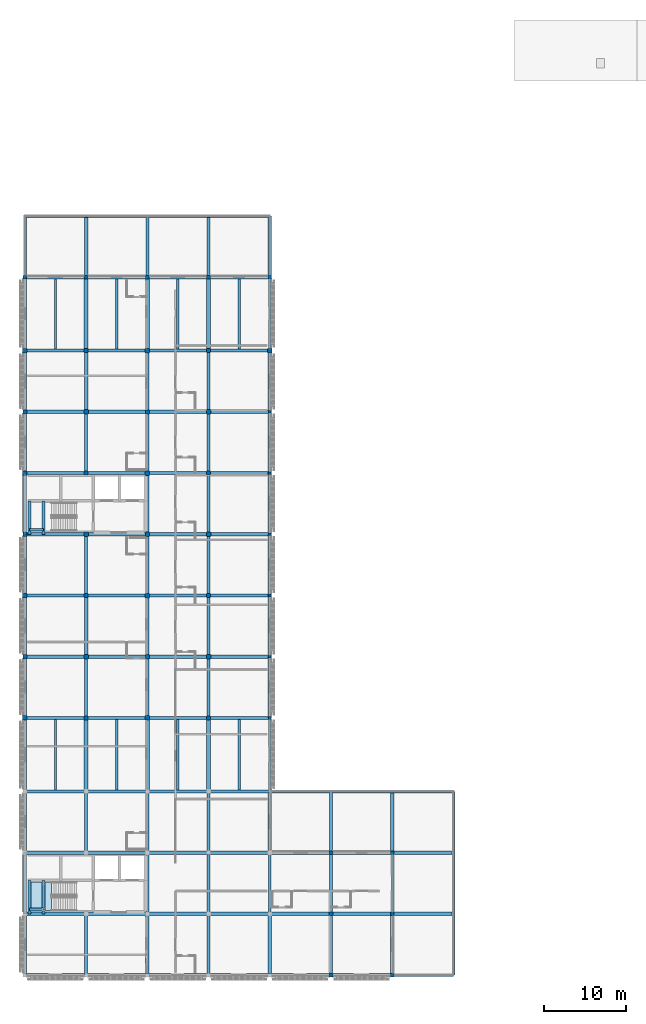
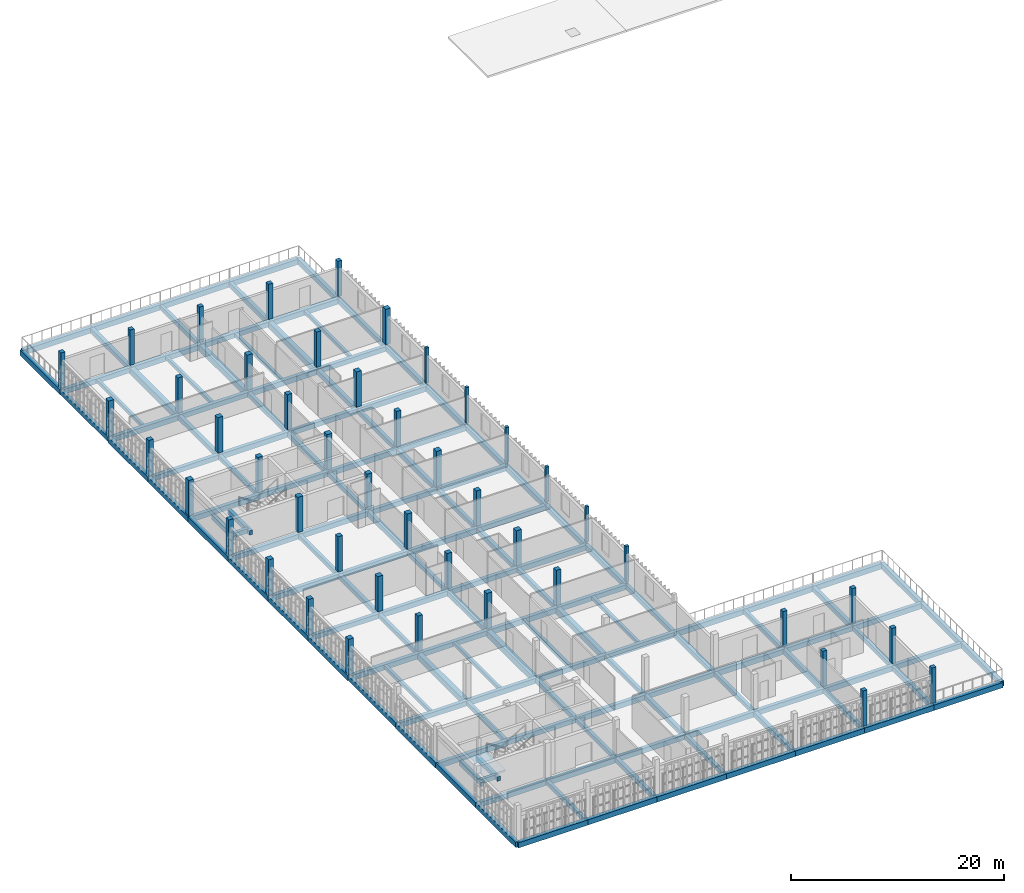
# One storey, part 2 of 17: 145 beams, 46 columns, 1 slab, 1 element without a shape of its own.
"""IFC4 building model written with IfcOpenShell, lengths in metres."""

from ifc_helpers import new_model, si_unit, direction, frame, origin, origin_2d, place, context, subcontext, project, spatial, polyline, rectangle, outline, extrude, material, layer, layer_set, material_profile, profile_set, type_object, element, aggregate, save


model = new_model("IFC4")

# Units and contexts
model_context = context("Model", 3, precision=1e-05, world=origin(), true_north=direction((0.0, 1.0)))
body_context = subcontext(model_context, "Body", "Model", "MODEL_VIEW")
ifc_project = project(units=[si_unit("LENGTHUNIT", "METRE"), si_unit("AREAUNIT", "SQUARE_METRE"), si_unit("VOLUMEUNIT", "CUBIC_METRE"), si_unit("PLANEANGLEUNIT", "RADIAN"), si_unit("MASSUNIT", "GRAM", prefix="KILO")], contexts=[model_context])

# Site, building, storey
site_placement = place(None, origin())
site = spatial("IfcSite", under=ifc_project, at=site_placement, CompositionType="ELEMENT")
building_placement = place(site_placement, origin())
building = spatial("IfcBuilding", under=site, at=building_placement, Name="Dalvernix Boulevard General Hospital", CompositionType="ELEMENT")
storey_placement = place(building_placement, frame((0.0, 0.0, 25.949951171875)))
storey = spatial("IfcBuildingStorey", under=building, at=storey_placement, Name="L06", CompositionType="ELEMENT", Elevation=25.949951171875)

# Columns
ifc_material_1 = material(Name="Concrete C40/50", Category="concrete")
ifc_material_profile_1 = material_profile(ifc_material_1, rectangle(XDim=0.550048828125, YDim=0.550048828125, at=origin_2d()), Name="RC 550x550")
ifc_profile_set_1 = profile_set([ifc_material_profile_1], Name="Concrete C40/50")
column_type_1 = type_object("IfcColumnType", Name="COL-C-08-E", PredefinedType="COLUMN", material=ifc_profile_set_1)
for number, where, z_axis, x_axis, name in (
    (1, (0.0, 31.5, 0.0), (0.0, 0.0, 1.0), (1.0, 0.0, 0.0), "L06 column 1E"),
    (2, (0.0, 46.5, 0.0), (0.0, 0.0, 1.0), (1.0, 0.0, 0.0), "L06 column 1G"),
    (3, (0.0, 61.5, 0.0), (0.0, 0.0, 1.0), (1.0, 0.0, 0.0), "L06 column 1J"),
    (4, (0.0, 76.5, 0.0), (0.0, 0.0, 1.0), (1.0, 0.0, 0.0), "L06 column 1L"),
    (5, (30.0, 76.5, 0.0), (0.0, 0.0, 1.0), (1.0, 0.0, 0.0), "L06 column 5L"),
):
    element("IfcColumn", number, at=place(storey_placement, frame(where, z_axis=z_axis, x_axis=x_axis)), inside=storey, type_object=column_type_1, Name=name, PredefinedType="COLUMN", context=body_context, shape_type="SweptSolid", body=[
        extrude(rectangle(XDim=0.550048828125, YDim=0.550048828125, at=origin_2d()), origin(), (0.0, 0.0, 1.0), 4.050048828125),
    ])
ifc_material_profile_2 = material_profile(ifc_material_1, rectangle(XDim=0.550048828125, YDim=0.550048828125, at=origin_2d()), Name="RC 550x550")
ifc_profile_set_2 = profile_set([ifc_material_profile_2], Name="Concrete C40/50")
column_type_2 = type_object("IfcColumnType", Name="COL-C-08-I", PredefinedType="COLUMN", material=ifc_profile_set_2)
for number, where, z_axis, x_axis, name in (
    (6, (7.5, 39.0, 0.0), (0.0, 0.0, 1.0), (1.0, 0.0, 0.0), "L06 column 2F"),
    (7, (7.5, 54.0, 0.0), (0.0, 0.0, 1.0), (1.0, 0.0, 0.0), "L06 column 2H"),
    (8, (7.5, 69.0, 0.0), (0.0, 0.0, 1.0), (1.0, 0.0, 0.0), "L06 column 2K"),
    (9, (15.0, 31.5, 0.0), (0.0, 0.0, 1.0), (1.0, 0.0, 0.0), "L06 column 3E"),
    (10, (15.0, 46.5, 0.0), (0.0, 0.0, 1.0), (1.0, 0.0, 0.0), "L06 column 3G"),
    (11, (15.0, 61.5, 0.0), (0.0, 0.0, 1.0), (1.0, 0.0, 0.0), "L06 column 3J"),
    (12, (15.0, 76.5, 0.0), (0.0, 0.0, 1.0), (1.0, 0.0, 0.0), "L06 column 3L"),
    (13, (22.5, 39.0, 0.0), (0.0, 0.0, 1.0), (1.0, 0.0, 0.0), "L06 column 4F"),
    (14, (22.5, 54.0, 0.0), (0.0, 0.0, 1.0), (1.0, 0.0, 0.0), "L06 column 4H"),
    (15, (22.5, 69.0, 0.0), (0.0, 0.0, 1.0), (1.0, 0.0, 0.0), "L06 column 4K"),
):
    element("IfcColumn", number, at=place(storey_placement, frame(where, z_axis=z_axis, x_axis=x_axis)), inside=storey, type_object=column_type_2, Name=name, PredefinedType="COLUMN", context=body_context, shape_type="SweptSolid", body=[
        extrude(rectangle(XDim=0.550048828125, YDim=0.550048828125, at=origin_2d()), origin(), (0.0, 0.0, 1.0), 4.050048828125),
    ])
ifc_material_profile_3 = material_profile(ifc_material_1, rectangle(XDim=0.5, YDim=0.5, at=origin_2d()), Name="RC 500x500")
ifc_profile_set_3 = profile_set([ifc_material_profile_3], Name="Concrete C40/50")
column_type_3 = type_object("IfcColumnType", Name="COL-C-09-E", PredefinedType="COLUMN", material=ifc_profile_set_3)
for number, where, z_axis, x_axis, name in (
    (16, (0.0, 39.0, 0.0), (0.0, 0.0, 1.0), (1.0, 0.0, 0.0), "L06 column 1F"),
    (17, (0.0, 54.0, 0.0), (0.0, 0.0, 1.0), (1.0, 0.0, 0.0), "L06 column 1H"),
    (18, (0.0, 69.0, 0.0), (0.0, 0.0, 1.0), (1.0, 0.0, 0.0), "L06 column 1K"),
):
    element("IfcColumn", number, at=place(storey_placement, frame(where, z_axis=z_axis, x_axis=x_axis)), inside=storey, type_object=column_type_3, Name=name, PredefinedType="COLUMN", context=body_context, shape_type="SweptSolid", body=[
        extrude(rectangle(XDim=0.5, YDim=0.5, at=origin_2d()), origin(), (0.0, 0.0, 1.0), 4.050048828125),
    ])
ifc_material_profile_4 = material_profile(ifc_material_1, rectangle(XDim=0.5, YDim=0.5, at=origin_2d()), Name="RC 500x500")
ifc_profile_set_4 = profile_set([ifc_material_profile_4], Name="Concrete C40/50")
column_type_4 = type_object("IfcColumnType", Name="COL-C-09-I", PredefinedType="COLUMN", material=ifc_profile_set_4)
for number, where, z_axis, x_axis, name in (
    (19, (7.5, 31.5, 0.0), (0.0, 0.0, 1.0), (1.0, 0.0, 0.0), "L06 column 2E"),
    (20, (7.5, 46.5, 0.0), (0.0, 0.0, 1.0), (1.0, 0.0, 0.0), "L06 column 2G"),
    (21, (7.5, 61.5, 0.0), (0.0, 0.0, 1.0), (1.0, 0.0, 0.0), "L06 column 2J"),
    (22, (7.5, 76.5, 0.0), (0.0, 0.0, 1.0), (1.0, 0.0, 0.0), "L06 column 2L"),
    (23, (15.0, 39.0, 0.0), (0.0, 0.0, 1.0), (1.0, 0.0, 0.0), "L06 column 3F"),
    (24, (15.0, 54.0, 0.0), (0.0, 0.0, 1.0), (1.0, 0.0, 0.0), "L06 column 3H"),
    (25, (15.0, 69.0, 0.0), (0.0, 0.0, 1.0), (1.0, 0.0, 0.0), "L06 column 3K"),
    (26, (22.5, 31.5, 0.0), (0.0, 0.0, 1.0), (1.0, 0.0, 0.0), "L06 column 4E"),
    (27, (22.5, 46.5, 0.0), (0.0, 0.0, 1.0), (1.0, 0.0, 0.0), "L06 column 4G"),
    (28, (22.5, 61.5, 0.0), (0.0, 0.0, 1.0), (1.0, 0.0, 0.0), "L06 column 4J"),
    (29, (22.5, 76.5, 0.0), (0.0, 0.0, 1.0), (1.0, 0.0, 0.0), "L06 column 4L"),
):
    element("IfcColumn", number, at=place(storey_placement, frame(where, z_axis=z_axis, x_axis=x_axis)), inside=storey, type_object=column_type_4, Name=name, PredefinedType="COLUMN", context=body_context, shape_type="SweptSolid", body=[
        extrude(rectangle(XDim=0.5, YDim=0.5, at=origin_2d()), origin(), (0.0, 0.0, 1.0), 4.050048828125),
    ])
ifc_material_profile_5 = material_profile(ifc_material_1, rectangle(XDim=0.449951171875, YDim=0.449951171875, at=origin_2d()), Name="RC 450x450")
ifc_profile_set_5 = profile_set([ifc_material_profile_5], Name="Concrete C40/50")
column_type_5 = type_object("IfcColumnType", Name="COL-C-10-E", PredefinedType="COLUMN", material=ifc_profile_set_5)
for number, where, z_axis, x_axis, name in (
    (30, (0.0, 85.5, 0.0), (0.0, 0.0, 1.0), (1.0, 0.0, 0.0), "L06 column 1M"),
    (31, (7.5, 85.5, 0.0), (0.0, 0.0, 1.0), (1.0, 0.0, 0.0), "L06 column 2M"),
    (32, (15.0, 85.5, 0.0), (0.0, 0.0, 1.0), (1.0, 0.0, 0.0), "L06 column 3M"),
    (33, (22.5, 85.5, 0.0), (0.0, 0.0, 1.0), (1.0, 0.0, 0.0), "L06 column 4M"),
    (34, (30.0, 85.5, 0.0), (0.0, 0.0, 1.0), (1.0, 0.0, 0.0), "L06 column 5M"),
    (35, (37.5, 0.0, 0.0), (0.0, 0.0, 1.0), (1.0, 0.0, 0.0), "L06 column 6A"),
    (36, (37.5, 15.0, 0.0), (0.0, 0.0, 1.0), (1.0, 0.0, 0.0), "L06 column 6C"),
    (37, (45.0, 0.0, 0.0), (0.0, 0.0, 1.0), (1.0, 0.0, 0.0), "L06 column 7A"),
    (38, (45.0, 7.5, 0.0), (0.0, 0.0, 1.0), (1.0, 0.0, 0.0), "L06 column 7B"),
    (39, (45.0, 15.0, 0.0), (0.0, 0.0, 1.0), (1.0, 0.0, 0.0), "L06 column 7C"),
):
    element("IfcColumn", number, at=place(storey_placement, frame(where, z_axis=z_axis, x_axis=x_axis)), inside=storey, type_object=column_type_5, Name=name, PredefinedType="COLUMN", context=body_context, shape_type="SweptSolid", body=[
        extrude(rectangle(XDim=0.449951171875, YDim=0.449951171875, at=origin_2d()), origin(), (0.0, 0.0, 1.0), 4.050048828125),
    ])
ifc_material_profile_6 = material_profile(ifc_material_1, rectangle(XDim=0.449951171875, YDim=0.449951171875, at=origin_2d()), Name="RC 450x450")
ifc_profile_set_6 = profile_set([ifc_material_profile_6], Name="Concrete C40/50")
column_type_6 = type_object("IfcColumnType", Name="COL-C-10-I", PredefinedType="COLUMN", material=ifc_profile_set_6)
column_placement = place(storey_placement, frame((37.5, 7.5, 0.0), z_axis=(0.0, 0.0, 1.0), x_axis=(1.0, 0.0, 0.0)))
element("IfcColumn", 40, at=column_placement, inside=storey, type_object=column_type_6, Name="L06 column 6B", PredefinedType="COLUMN", context=body_context, shape_type="SweptSolid", body=[
    extrude(rectangle(XDim=0.449951171875, YDim=0.449951171875, at=origin_2d()), origin(), (0.0, 0.0, 1.0), 4.050048828125),
])
ifc_material_2 = material(Name="Glulam GL28h", Category="wood")
ifc_material_profile_7 = material_profile(ifc_material_2, rectangle(XDim=0.320068359375, YDim=0.320068359375, at=origin_2d()), Name="GL28h 320x320")
ifc_profile_set_7 = profile_set([ifc_material_profile_7], Name="Glulam GL28h")
column_type_7 = type_object("IfcColumnType", Name="COL-C-20-E", PredefinedType="COLUMN", material=ifc_profile_set_7)
for number, where, z_axis, x_axis, name in (
    (41, (30.0, 31.5, 0.0), (0.0, 0.0, 1.0), (1.0, 0.0, 0.0), "L06 column 5E"),
    (42, (30.0, 39.0, 0.0), (0.0, 0.0, 1.0), (1.0, 0.0, 0.0), "L06 column 5F"),
    (43, (30.0, 46.5, 0.0), (0.0, 0.0, 1.0), (1.0, 0.0, 0.0), "L06 column 5G"),
    (44, (30.0, 54.0, 0.0), (0.0, 0.0, 1.0), (1.0, 0.0, 0.0), "L06 column 5H"),
    (45, (30.0, 61.5, 0.0), (0.0, 0.0, 1.0), (1.0, 0.0, 0.0), "L06 column 5J"),
    (46, (30.0, 69.0, 0.0), (0.0, 0.0, 1.0), (1.0, 0.0, 0.0), "L06 column 5K"),
):
    element("IfcColumn", number, at=place(storey_placement, frame(where, z_axis=z_axis, x_axis=x_axis)), inside=storey, type_object=column_type_7, Name=name, PredefinedType="COLUMN", context=body_context, shape_type="SweptSolid", body=[
        extrude(rectangle(XDim=0.320068359375, YDim=0.320068359375, at=origin_2d()), origin(), (0.0, 0.0, 1.0), 4.050048828125),
    ])

# Beams
ifc_material_3 = material(Name="Concrete C35/45", Category="concrete")
ifc_material_profile_8 = material_profile(ifc_material_3, rectangle(XDim=0.5, YDim=0.699951171875, at=origin_2d()), Name="RCB 500x700")
ifc_profile_set_8 = profile_set([ifc_material_profile_8], Name="Concrete C35/45")
beam_type_1 = type_object("IfcBeamType", Name="BM-B-01-I", PredefinedType="BEAM", material=ifc_profile_set_8)
for number, where, z_axis, x_axis, name in (
    (47, (7.5, 22.5, -0.6298828125), (0.0, 1.0, 0.0), (-1.0, 0.0, 0.0), "L06 N-S girder 2:D-E"),
    (48, (7.5, 76.5, -0.6298828125), (0.0, 1.0, 0.0), (-1.0, 0.0, 0.0), "L06 N-S girder 2:L-M"),
    (49, (15.0, 22.5, -0.6298828125), (0.0, 1.0, 0.0), (-1.0, 0.0, 0.0), "L06 N-S girder 3:D-E"),
    (50, (15.0, 76.5, -0.6298828125), (0.0, 1.0, 0.0), (-1.0, 0.0, 0.0), "L06 N-S girder 3:L-M"),
    (51, (22.5, 22.5, -0.6298828125), (0.0, 1.0, 0.0), (-1.0, 0.0, 0.0), "L06 N-S girder 4:D-E"),
    (52, (22.5, 76.5, -0.6298828125), (0.0, 1.0, 0.0), (-1.0, 0.0, 0.0), "L06 N-S girder 4:L-M"),
):
    element("IfcBeam", number, at=place(storey_placement, frame(where, z_axis=z_axis, x_axis=x_axis)), inside=storey, type_object=beam_type_1, Name=name, PredefinedType="BEAM", context=body_context, shape_type="SweptSolid", body=[
        extrude(rectangle(XDim=0.5, YDim=0.699951171875, at=origin_2d()), origin(), (0.0, 0.0, 1.0), 9.0),
    ])
ifc_material_profile_9 = material_profile(ifc_material_3, rectangle(XDim=0.39990234375, YDim=0.60009765625, at=origin_2d()), Name="RCB 400x600")
ifc_profile_set_9 = profile_set([ifc_material_profile_9], Name="Concrete C35/45")
beam_type_2 = type_object("IfcBeamType", Name="BM-B-05-I", PredefinedType="BEAM", material=ifc_profile_set_9)
for number, where, z_axis, x_axis, name in (
    (53, (7.5, 7.5, -0.579833984375), (1.0, 0.0, 0.0), (0.0, 1.0, 0.0), "L06 E-W girder B:2-3"),
    (54, (22.5, 7.5, -0.579833984375), (1.0, 0.0, 0.0), (0.0, 1.0, 0.0), "L06 E-W girder B:4-5"),
    (55, (37.5, 7.5, -0.579833984375), (1.0, 0.0, 0.0), (0.0, 1.0, 0.0), "L06 E-W girder B:6-7"),
    (56, (0.0, 15.0, -0.579833984375), (1.0, 0.0, 0.0), (0.0, 1.0, 0.0), "L06 E-W girder C:1-2"),
    (57, (15.0, 15.0, -0.579833984375), (1.0, 0.0, 0.0), (0.0, 1.0, 0.0), "L06 E-W girder C:3-4"),
    (58, (30.0, 15.0, -0.579833984375), (1.0, 0.0, 0.0), (0.0, 1.0, 0.0), "L06 E-W girder C:5-6"),
    (59, (45.0, 15.0, -0.579833984375), (1.0, 0.0, 0.0), (0.0, 1.0, 0.0), "L06 E-W girder C:7-8"),
    (60, (7.5, 22.5, -0.579833984375), (1.0, 0.0, 0.0), (0.0, 1.0, 0.0), "L06 E-W girder D:2-3"),
    (61, (22.5, 22.5, -0.579833984375), (1.0, 0.0, 0.0), (0.0, 1.0, 0.0), "L06 E-W girder D:4-5"),
    (62, (0.0, 31.5, -0.579833984375), (1.0, 0.0, 0.0), (0.0, 1.0, 0.0), "L06 E-W girder E:1-2"),
    (63, (15.0, 31.5, -0.579833984375), (1.0, 0.0, 0.0), (0.0, 1.0, 0.0), "L06 E-W girder E:3-4"),
    (64, (7.5, 39.0, -0.579833984375), (1.0, 0.0, 0.0), (0.0, 1.0, 0.0), "L06 E-W girder F:2-3"),
    (65, (22.5, 39.0, -0.579833984375), (1.0, 0.0, 0.0), (0.0, 1.0, 0.0), "L06 E-W girder F:4-5"),
    (66, (0.0, 46.5, -0.579833984375), (1.0, 0.0, 0.0), (0.0, 1.0, 0.0), "L06 E-W girder G:1-2"),
    (67, (15.0, 46.5, -0.579833984375), (1.0, 0.0, 0.0), (0.0, 1.0, 0.0), "L06 E-W girder G:3-4"),
    (68, (7.5, 54.0, -0.579833984375), (1.0, 0.0, 0.0), (0.0, 1.0, 0.0), "L06 E-W girder H:2-3"),
    (69, (22.5, 54.0, -0.579833984375), (1.0, 0.0, 0.0), (0.0, 1.0, 0.0), "L06 E-W girder H:4-5"),
    (70, (0.0, 61.5, -0.579833984375), (1.0, 0.0, 0.0), (0.0, 1.0, 0.0), "L06 E-W girder J:1-2"),
    (71, (15.0, 61.5, -0.579833984375), (1.0, 0.0, 0.0), (0.0, 1.0, 0.0), "L06 E-W girder J:3-4"),
    (72, (7.5, 69.0, -0.579833984375), (1.0, 0.0, 0.0), (0.0, 1.0, 0.0), "L06 E-W girder K:2-3"),
    (73, (22.5, 69.0, -0.579833984375), (1.0, 0.0, 0.0), (0.0, 1.0, 0.0), "L06 E-W girder K:4-5"),
    (74, (0.0, 76.5, -0.579833984375), (1.0, 0.0, 0.0), (0.0, 1.0, 0.0), "L06 E-W girder L:1-2"),
    (75, (15.0, 76.5, -0.579833984375), (1.0, 0.0, 0.0), (0.0, 1.0, 0.0), "L06 E-W girder L:3-4"),
    (76, (7.5, 85.5, -0.579833984375), (1.0, 0.0, 0.0), (0.0, 1.0, 0.0), "L06 E-W girder M:2-3"),
    (77, (22.5, 85.5, -0.579833984375), (1.0, 0.0, 0.0), (0.0, 1.0, 0.0), "L06 E-W girder M:4-5"),
):
    element("IfcBeam", number, at=place(storey_placement, frame(where, z_axis=z_axis, x_axis=x_axis)), inside=storey, type_object=beam_type_2, Name=name, PredefinedType="BEAM", context=body_context, shape_type="SweptSolid", body=[
        extrude(rectangle(XDim=0.39990234375, YDim=0.60009765625, at=origin_2d()), origin(), (0.0, 0.0, 1.0), 7.5),
    ])
ifc_material_profile_10 = material_profile(ifc_material_3, rectangle(XDim=0.39990234375, YDim=0.550048828125, at=origin_2d()), Name="RCB 400x550")
ifc_profile_set_10 = profile_set([ifc_material_profile_10], Name="Concrete C35/45")
beam_type_3 = type_object("IfcBeamType", Name="BM-B-06-I", PredefinedType="BEAM", material=ifc_profile_set_10)
for number, where, z_axis, x_axis, name in (
    (78, (0.0, 7.5, -0.554931640625), (1.0, 0.0, 0.0), (0.0, 1.0, 0.0), "L06 E-W girder B:1-2"),
    (79, (15.0, 7.5, -0.554931640625), (1.0, 0.0, 0.0), (0.0, 1.0, 0.0), "L06 E-W girder B:3-4"),
    (80, (30.0, 7.5, -0.554931640625), (1.0, 0.0, 0.0), (0.0, 1.0, 0.0), "L06 E-W girder B:5-6"),
    (81, (45.0, 7.5, -0.554931640625), (1.0, 0.0, 0.0), (0.0, 1.0, 0.0), "L06 E-W girder B:7-8"),
    (82, (7.5, 15.0, -0.554931640625), (1.0, 0.0, 0.0), (0.0, 1.0, 0.0), "L06 E-W girder C:2-3"),
    (83, (22.5, 15.0, -0.554931640625), (1.0, 0.0, 0.0), (0.0, 1.0, 0.0), "L06 E-W girder C:4-5"),
    (84, (37.5, 15.0, -0.554931640625), (1.0, 0.0, 0.0), (0.0, 1.0, 0.0), "L06 E-W girder C:6-7"),
    (85, (0.0, 22.5, -0.554931640625), (1.0, 0.0, 0.0), (0.0, 1.0, 0.0), "L06 E-W girder D:1-2"),
    (86, (15.0, 22.5, -0.554931640625), (1.0, 0.0, 0.0), (0.0, 1.0, 0.0), "L06 E-W girder D:3-4"),
    (87, (7.5, 31.5, -0.554931640625), (1.0, 0.0, 0.0), (0.0, 1.0, 0.0), "L06 E-W girder E:2-3"),
    (88, (22.5, 31.5, -0.554931640625), (1.0, 0.0, 0.0), (0.0, 1.0, 0.0), "L06 E-W girder E:4-5"),
    (89, (0.0, 39.0, -0.554931640625), (1.0, 0.0, 0.0), (0.0, 1.0, 0.0), "L06 E-W girder F:1-2"),
    (90, (15.0, 39.0, -0.554931640625), (1.0, 0.0, 0.0), (0.0, 1.0, 0.0), "L06 E-W girder F:3-4"),
    (91, (7.5, 46.5, -0.554931640625), (1.0, 0.0, 0.0), (0.0, 1.0, 0.0), "L06 E-W girder G:2-3"),
    (92, (22.5, 46.5, -0.554931640625), (1.0, 0.0, 0.0), (0.0, 1.0, 0.0), "L06 E-W girder G:4-5"),
    (93, (0.0, 54.0, -0.554931640625), (1.0, 0.0, 0.0), (0.0, 1.0, 0.0), "L06 E-W girder H:1-2"),
    (94, (15.0, 54.0, -0.554931640625), (1.0, 0.0, 0.0), (0.0, 1.0, 0.0), "L06 E-W girder H:3-4"),
    (95, (7.5, 61.5, -0.554931640625), (1.0, 0.0, 0.0), (0.0, 1.0, 0.0), "L06 E-W girder J:2-3"),
    (96, (22.5, 61.5, -0.554931640625), (1.0, 0.0, 0.0), (0.0, 1.0, 0.0), "L06 E-W girder J:4-5"),
    (97, (0.0, 69.0, -0.554931640625), (1.0, 0.0, 0.0), (0.0, 1.0, 0.0), "L06 E-W girder K:1-2"),
    (98, (15.0, 69.0, -0.554931640625), (1.0, 0.0, 0.0), (0.0, 1.0, 0.0), "L06 E-W girder K:3-4"),
    (99, (7.5, 76.5, -0.554931640625), (1.0, 0.0, 0.0), (0.0, 1.0, 0.0), "L06 E-W girder L:2-3"),
    (100, (22.5, 76.5, -0.554931640625), (1.0, 0.0, 0.0), (0.0, 1.0, 0.0), "L06 E-W girder L:4-5"),
    (101, (0.0, 85.5, -0.554931640625), (1.0, 0.0, 0.0), (0.0, 1.0, 0.0), "L06 E-W girder M:1-2"),
    (102, (15.0, 85.5, -0.554931640625), (1.0, 0.0, 0.0), (0.0, 1.0, 0.0), "L06 E-W girder M:3-4"),
    (103, (7.5, 39.0, -0.554931640625), (0.0, 1.0, 0.0), (-1.0, 0.0, 0.0), "L06 N-S girder 2:F-G"),
    (104, (7.5, 69.0, -0.554931640625), (0.0, 1.0, 0.0), (-1.0, 0.0, 0.0), "L06 N-S girder 2:K-L"),
    (105, (7.5, 85.5, -0.554931640625), (0.0, 1.0, 0.0), (-1.0, 0.0, 0.0), "L06 N-S girder 2:M-N"),
    (106, (15.0, 0.0, -0.554931640625), (0.0, 1.0, 0.0), (-1.0, 0.0, 0.0), "L06 N-S girder 3:A-B"),
    (107, (15.0, 15.0, -0.554931640625), (0.0, 1.0, 0.0), (-1.0, 0.0, 0.0), "L06 N-S girder 3:C-D"),
    (108, (15.0, 31.5, -0.554931640625), (0.0, 1.0, 0.0), (-1.0, 0.0, 0.0), "L06 N-S girder 3:E-F"),
    (109, (15.0, 46.5, -0.554931640625), (0.0, 1.0, 0.0), (-1.0, 0.0, 0.0), "L06 N-S girder 3:G-H"),
    (110, (15.0, 61.5, -0.554931640625), (0.0, 1.0, 0.0), (-1.0, 0.0, 0.0), "L06 N-S girder 3:J-K"),
    (111, (22.5, 7.5, -0.554931640625), (0.0, 1.0, 0.0), (-1.0, 0.0, 0.0), "L06 N-S girder 4:B-C"),
    (112, (22.5, 39.0, -0.554931640625), (0.0, 1.0, 0.0), (-1.0, 0.0, 0.0), "L06 N-S girder 4:F-G"),
    (113, (22.5, 54.0, -0.554931640625), (0.0, 1.0, 0.0), (-1.0, 0.0, 0.0), "L06 N-S girder 4:H-J"),
    (114, (22.5, 69.0, -0.554931640625), (0.0, 1.0, 0.0), (-1.0, 0.0, 0.0), "L06 N-S girder 4:K-L"),
    (115, (22.5, 85.5, -0.554931640625), (0.0, 1.0, 0.0), (-1.0, 0.0, 0.0), "L06 N-S girder 4:M-N"),
    (116, (30.0, 0.0, -0.554931640625), (0.0, 1.0, 0.0), (-1.0, 0.0, 0.0), "L06 N-S girder 5:A-B"),
    (117, (30.0, 15.0, -0.554931640625), (0.0, 1.0, 0.0), (-1.0, 0.0, 0.0), "L06 N-S girder 5:C-D"),
    (118, (37.5, 7.5, -0.554931640625), (0.0, 1.0, 0.0), (-1.0, 0.0, 0.0), "L06 N-S girder 6:B-C"),
    (119, (45.0, 0.0, -0.554931640625), (0.0, 1.0, 0.0), (-1.0, 0.0, 0.0), "L06 N-S girder 7:A-B"),
    (120, (45.0, 15.0, -0.554931640625), (0.0, 1.0, 0.0), (-1.0, 0.0, 0.0), "L06 N-S girder 7:C-D"),
):
    element("IfcBeam", number, at=place(storey_placement, frame(where, z_axis=z_axis, x_axis=x_axis)), inside=storey, type_object=beam_type_3, Name=name, PredefinedType="BEAM", context=body_context, shape_type="SweptSolid", body=[
        extrude(rectangle(XDim=0.39990234375, YDim=0.550048828125, at=origin_2d()), origin(), (0.0, 0.0, 1.0), 7.5),
    ])
ifc_material_profile_11 = material_profile(ifc_material_3, rectangle(XDim=0.35009765625, YDim=0.5, at=origin_2d()), Name="RCB 350x500")
ifc_profile_set_11 = profile_set([ifc_material_profile_11], Name="Concrete C35/45")
beam_type_4 = type_object("IfcBeamType", Name="BM-B-08", PredefinedType="BEAM", material=ifc_profile_set_11)
for number, where, z_axis, x_axis, name in (
    (121, (0.550048828125, 7.5, 1.574951171875), (0.0, 1.0, 0.0), (-1.0, 0.0, 0.0), "L06 C1 stair half-landing beam 1"),
    (122, (2.300048828125, 7.5, 1.574951171875), (0.0, 1.0, 0.0), (-1.0, 0.0, 0.0), "L06 C1 stair half-landing beam 2"),
):
    element("IfcBeam", number, at=place(storey_placement, frame(where, z_axis=z_axis, x_axis=x_axis)), inside=storey, type_object=beam_type_4, Name=name, PredefinedType="BEAM", context=body_context, shape_type="SweptSolid", body=[
        extrude(rectangle(XDim=0.35009765625, YDim=0.5, at=origin_2d()), origin(), (0.0, 0.0, 1.0), 4.10009765625),
    ])
beam_1_placement = place(storey_placement, frame((0.550048828125, 8.050048828125, 1.574951171875), z_axis=(1.0, 0.0, 0.0), x_axis=(0.0, 1.0, 0.0)))
element("IfcBeam", 123, at=beam_1_placement, inside=storey, type_object=beam_type_4, Name="L06 C1 stair half-landing tie beam", PredefinedType="BEAM", context=body_context, shape_type="SweptSolid", body=[
    extrude(rectangle(XDim=0.35009765625, YDim=0.5, at=origin_2d()), origin(), (0.0, 0.0, 1.0), 1.75),
])
for number, where, z_axis, x_axis, name in (
    (124, (0.550048828125, 54.0, 1.574951171875), (0.0, 1.0, 0.0), (-1.0, 0.0, 0.0), "L06 C2 stair half-landing beam 1"),
    (125, (2.300048828125, 54.0, 1.574951171875), (0.0, 1.0, 0.0), (-1.0, 0.0, 0.0), "L06 C2 stair half-landing beam 2"),
):
    element("IfcBeam", number, at=place(storey_placement, frame(where, z_axis=z_axis, x_axis=x_axis)), inside=storey, type_object=beam_type_4, Name=name, PredefinedType="BEAM", context=body_context, shape_type="SweptSolid", body=[
        extrude(rectangle(XDim=0.35009765625, YDim=0.5, at=origin_2d()), origin(), (0.0, 0.0, 1.0), 4.10009765625),
    ])
beam_2_placement = place(storey_placement, frame((0.550048828125, 54.550048828125, 1.574951171875), z_axis=(1.0, 0.0, 0.0), x_axis=(0.0, 1.0, 0.0)))
element("IfcBeam", 126, at=beam_2_placement, inside=storey, type_object=beam_type_4, Name="L06 C2 stair half-landing tie beam", PredefinedType="BEAM", context=body_context, shape_type="SweptSolid", body=[
    extrude(rectangle(XDim=0.35009765625, YDim=0.5, at=origin_2d()), origin(), (0.0, 0.0, 1.0), 1.75),
])
ifc_material_profile_12 = material_profile(ifc_material_3, rectangle(XDim=0.35009765625, YDim=0.5, at=origin_2d()), Name="RCB 350x500")
ifc_profile_set_12 = profile_set([ifc_material_profile_12], Name="Concrete C35/45")
beam_type_5 = type_object("IfcBeamType", Name="BM-B-08-I", PredefinedType="BEAM", material=ifc_profile_set_12)
for number, where, z_axis, x_axis, name in (
    (127, (7.5, 0.0, -0.530029296875), (0.0, 1.0, 0.0), (-1.0, 0.0, 0.0), "L06 N-S girder 2:A-B"),
    (128, (7.5, 15.0, -0.530029296875), (0.0, 1.0, 0.0), (-1.0, 0.0, 0.0), "L06 N-S girder 2:C-D"),
    (129, (7.5, 31.5, -0.530029296875), (0.0, 1.0, 0.0), (-1.0, 0.0, 0.0), "L06 N-S girder 2:E-F"),
    (130, (7.5, 46.5, -0.530029296875), (0.0, 1.0, 0.0), (-1.0, 0.0, 0.0), "L06 N-S girder 2:G-H"),
    (131, (7.5, 61.5, -0.530029296875), (0.0, 1.0, 0.0), (-1.0, 0.0, 0.0), "L06 N-S girder 2:J-K"),
    (132, (15.0, 7.5, -0.530029296875), (0.0, 1.0, 0.0), (-1.0, 0.0, 0.0), "L06 N-S girder 3:B-C"),
    (133, (15.0, 39.0, -0.530029296875), (0.0, 1.0, 0.0), (-1.0, 0.0, 0.0), "L06 N-S girder 3:F-G"),
    (134, (15.0, 54.0, -0.530029296875), (0.0, 1.0, 0.0), (-1.0, 0.0, 0.0), "L06 N-S girder 3:H-J"),
    (135, (15.0, 69.0, -0.530029296875), (0.0, 1.0, 0.0), (-1.0, 0.0, 0.0), "L06 N-S girder 3:K-L"),
    (136, (15.0, 85.5, -0.530029296875), (0.0, 1.0, 0.0), (-1.0, 0.0, 0.0), "L06 N-S girder 3:M-N"),
    (137, (22.5, 0.0, -0.530029296875), (0.0, 1.0, 0.0), (-1.0, 0.0, 0.0), "L06 N-S girder 4:A-B"),
    (138, (22.5, 15.0, -0.530029296875), (0.0, 1.0, 0.0), (-1.0, 0.0, 0.0), "L06 N-S girder 4:C-D"),
    (139, (22.5, 31.5, -0.530029296875), (0.0, 1.0, 0.0), (-1.0, 0.0, 0.0), "L06 N-S girder 4:E-F"),
    (140, (22.5, 46.5, -0.530029296875), (0.0, 1.0, 0.0), (-1.0, 0.0, 0.0), "L06 N-S girder 4:G-H"),
    (141, (22.5, 61.5, -0.530029296875), (0.0, 1.0, 0.0), (-1.0, 0.0, 0.0), "L06 N-S girder 4:J-K"),
    (142, (30.0, 7.5, -0.530029296875), (0.0, 1.0, 0.0), (-1.0, 0.0, 0.0), "L06 N-S girder 5:B-C"),
    (143, (37.5, 0.0, -0.530029296875), (0.0, 1.0, 0.0), (-1.0, 0.0, 0.0), "L06 N-S girder 6:A-B"),
    (144, (37.5, 15.0, -0.530029296875), (0.0, 1.0, 0.0), (-1.0, 0.0, 0.0), "L06 N-S girder 6:C-D"),
    (145, (45.0, 7.5, -0.530029296875), (0.0, 1.0, 0.0), (-1.0, 0.0, 0.0), "L06 N-S girder 7:B-C"),
):
    element("IfcBeam", number, at=place(storey_placement, frame(where, z_axis=z_axis, x_axis=x_axis)), inside=storey, type_object=beam_type_5, Name=name, PredefinedType="BEAM", context=body_context, shape_type="SweptSolid", body=[
        extrude(rectangle(XDim=0.35009765625, YDim=0.5, at=origin_2d()), origin(), (0.0, 0.0, 1.0), 7.5),
    ])
ifc_material_profile_13 = material_profile(ifc_material_3, rectangle(XDim=0.300048828125, YDim=0.39990234375, at=origin_2d()), Name="RCB 300x400")
ifc_profile_set_13 = profile_set([ifc_material_profile_13], Name="Concrete C35/45")
beam_type_6 = type_object("IfcBeamType", Name="BM-JB-01", PredefinedType="JOIST", material=ifc_profile_set_13)
for number, where, z_axis, x_axis, name in (
    (146, (3.75, 22.699951171875, -0.47998046875), (0.0, 1.0, 0.0), (-1.0, 0.0, 0.0), "L06 secondary floor beam 1-D"),
    (147, (3.75, 76.699951171875, -0.47998046875), (0.0, 1.0, 0.0), (-1.0, 0.0, 0.0), "L06 secondary floor beam 1-L"),
    (148, (11.25, 22.699951171875, -0.47998046875), (0.0, 1.0, 0.0), (-1.0, 0.0, 0.0), "L06 secondary floor beam 2-D"),
    (149, (11.25, 76.699951171875, -0.47998046875), (0.0, 1.0, 0.0), (-1.0, 0.0, 0.0), "L06 secondary floor beam 2-L"),
    (150, (18.75, 22.699951171875, -0.47998046875), (0.0, 1.0, 0.0), (-1.0, 0.0, 0.0), "L06 secondary floor beam 3-D"),
    (151, (18.75, 76.699951171875, -0.47998046875), (0.0, 1.0, 0.0), (-1.0, 0.0, 0.0), "L06 secondary floor beam 3-L"),
    (152, (26.25, 22.699951171875, -0.47998046875), (0.0, 1.0, 0.0), (-1.0, 0.0, 0.0), "L06 secondary floor beam 4-D"),
    (153, (26.25, 76.699951171875, -0.47998046875), (0.0, 1.0, 0.0), (-1.0, 0.0, 0.0), "L06 secondary floor beam 4-L"),
):
    element("IfcBeam", number, at=place(storey_placement, frame(where, z_axis=z_axis, x_axis=x_axis)), inside=storey, type_object=beam_type_6, Name=name, PredefinedType="JOIST", context=body_context, shape_type="SweptSolid", body=[
        extrude(rectangle(XDim=0.300048828125, YDim=0.39990234375, at=origin_2d()), origin(), (0.0, 0.0, 1.0), 8.60009765625),
    ])
ifc_material_profile_14 = material_profile(ifc_material_3, rectangle(XDim=0.35009765625, YDim=0.550048828125, at=origin_2d()), Name="RCB 350x550")
ifc_profile_set_14 = profile_set([ifc_material_profile_14], Name="Concrete C35/45")
beam_type_7 = type_object("IfcBeamType", Name="BM-SB-01-E", PredefinedType="SPANDREL", material=ifc_profile_set_14)
for number, where, z_axis, x_axis, name in (
    (154, (0.0, 22.5, -0.554931640625), (0.0, 1.0, 0.0), (-1.0, 0.0, 0.0), "L06 N-S girder 1:D-E"),
    (155, (0.0, 76.5, -0.554931640625), (0.0, 1.0, 0.0), (-1.0, 0.0, 0.0), "L06 N-S girder 1:L-M"),
    (156, (30.0, 22.5, -0.554931640625), (0.0, 1.0, 0.0), (-1.0, 0.0, 0.0), "L06 N-S girder 5:D-E"),
    (157, (30.0, 76.5, -0.554931640625), (0.0, 1.0, 0.0), (-1.0, 0.0, 0.0), "L06 N-S girder 5:L-M"),
):
    element("IfcBeam", number, at=place(storey_placement, frame(where, z_axis=z_axis, x_axis=x_axis)), inside=storey, type_object=beam_type_7, Name=name, PredefinedType="SPANDREL", context=body_context, shape_type="SweptSolid", body=[
        extrude(rectangle(XDim=0.35009765625, YDim=0.550048828125, at=origin_2d()), origin(), (0.0, 0.0, 1.0), 9.0),
    ])
ifc_material_profile_15 = material_profile(ifc_material_3, rectangle(XDim=0.39990234375, YDim=0.60009765625, at=origin_2d()), Name="RCB 400x600")
ifc_profile_set_15 = profile_set([ifc_material_profile_15], Name="Concrete C35/45")
beam_type_8 = type_object("IfcBeamType", Name="BM-SB-02-E", PredefinedType="SPANDREL", material=ifc_profile_set_15)
for number, where, z_axis, x_axis, name in (
    (158, (0.0, 0.0, -0.579833984375), (1.0, 0.0, 0.0), (0.0, 1.0, 0.0), "L06 E-W girder A:1-2"),
    (159, (7.5, 0.0, -0.579833984375), (1.0, 0.0, 0.0), (0.0, 1.0, 0.0), "L06 E-W girder A:2-3"),
    (160, (15.0, 0.0, -0.579833984375), (1.0, 0.0, 0.0), (0.0, 1.0, 0.0), "L06 E-W girder A:3-4"),
    (161, (22.5, 0.0, -0.579833984375), (1.0, 0.0, 0.0), (0.0, 1.0, 0.0), "L06 E-W girder A:4-5"),
    (162, (30.0, 0.0, -0.579833984375), (1.0, 0.0, 0.0), (0.0, 1.0, 0.0), "L06 E-W girder A:5-6"),
    (163, (37.5, 0.0, -0.579833984375), (1.0, 0.0, 0.0), (0.0, 1.0, 0.0), "L06 E-W girder A:6-7"),
    (164, (45.0, 0.0, -0.579833984375), (1.0, 0.0, 0.0), (0.0, 1.0, 0.0), "L06 E-W girder A:7-8"),
    (165, (30.0, 22.5, -0.579833984375), (1.0, 0.0, 0.0), (0.0, 1.0, 0.0), "L06 E-W girder D:5-6"),
    (166, (37.5, 22.5, -0.579833984375), (1.0, 0.0, 0.0), (0.0, 1.0, 0.0), "L06 E-W girder D:6-7"),
    (167, (45.0, 22.5, -0.579833984375), (1.0, 0.0, 0.0), (0.0, 1.0, 0.0), "L06 E-W girder D:7-8"),
    (168, (0.0, 93.0, -0.579833984375), (1.0, 0.0, 0.0), (0.0, 1.0, 0.0), "L06 E-W girder N:1-2"),
    (169, (7.5, 93.0, -0.579833984375), (1.0, 0.0, 0.0), (0.0, 1.0, 0.0), "L06 E-W girder N:2-3"),
    (170, (15.0, 93.0, -0.579833984375), (1.0, 0.0, 0.0), (0.0, 1.0, 0.0), "L06 E-W girder N:3-4"),
    (171, (22.5, 93.0, -0.579833984375), (1.0, 0.0, 0.0), (0.0, 1.0, 0.0), "L06 E-W girder N:4-5"),
    (172, (0.0, 0.0, -0.579833984375), (0.0, 1.0, 0.0), (-1.0, 0.0, 0.0), "L06 N-S girder 1:A-B"),
    (173, (0.0, 7.5, -0.579833984375), (0.0, 1.0, 0.0), (-1.0, 0.0, 0.0), "L06 N-S girder 1:B-C"),
    (174, (0.0, 15.0, -0.579833984375), (0.0, 1.0, 0.0), (-1.0, 0.0, 0.0), "L06 N-S girder 1:C-D"),
    (175, (0.0, 31.5, -0.579833984375), (0.0, 1.0, 0.0), (-1.0, 0.0, 0.0), "L06 N-S girder 1:E-F"),
    (176, (0.0, 39.0, -0.579833984375), (0.0, 1.0, 0.0), (-1.0, 0.0, 0.0), "L06 N-S girder 1:F-G"),
    (177, (0.0, 46.5, -0.579833984375), (0.0, 1.0, 0.0), (-1.0, 0.0, 0.0), "L06 N-S girder 1:G-H"),
    (178, (0.0, 54.0, -0.579833984375), (0.0, 1.0, 0.0), (-1.0, 0.0, 0.0), "L06 N-S girder 1:H-J"),
    (179, (0.0, 61.5, -0.579833984375), (0.0, 1.0, 0.0), (-1.0, 0.0, 0.0), "L06 N-S girder 1:J-K"),
    (180, (0.0, 69.0, -0.579833984375), (0.0, 1.0, 0.0), (-1.0, 0.0, 0.0), "L06 N-S girder 1:K-L"),
    (181, (0.0, 85.5, -0.579833984375), (0.0, 1.0, 0.0), (-1.0, 0.0, 0.0), "L06 N-S girder 1:M-N"),
    (182, (30.0, 31.5, -0.579833984375), (0.0, 1.0, 0.0), (-1.0, 0.0, 0.0), "L06 N-S girder 5:E-F"),
    (183, (30.0, 39.0, -0.579833984375), (0.0, 1.0, 0.0), (-1.0, 0.0, 0.0), "L06 N-S girder 5:F-G"),
    (184, (30.0, 46.5, -0.579833984375), (0.0, 1.0, 0.0), (-1.0, 0.0, 0.0), "L06 N-S girder 5:G-H"),
    (185, (30.0, 54.0, -0.579833984375), (0.0, 1.0, 0.0), (-1.0, 0.0, 0.0), "L06 N-S girder 5:H-J"),
    (186, (30.0, 61.5, -0.579833984375), (0.0, 1.0, 0.0), (-1.0, 0.0, 0.0), "L06 N-S girder 5:J-K"),
    (187, (30.0, 69.0, -0.579833984375), (0.0, 1.0, 0.0), (-1.0, 0.0, 0.0), "L06 N-S girder 5:K-L"),
    (188, (30.0, 85.5, -0.579833984375), (0.0, 1.0, 0.0), (-1.0, 0.0, 0.0), "L06 N-S girder 5:M-N"),
    (189, (52.5, 0.0, -0.579833984375), (0.0, 1.0, 0.0), (-1.0, 0.0, 0.0), "L06 N-S girder 8:A-B"),
    (190, (52.5, 7.5, -0.579833984375), (0.0, 1.0, 0.0), (-1.0, 0.0, 0.0), "L06 N-S girder 8:B-C"),
    (191, (52.5, 15.0, -0.579833984375), (0.0, 1.0, 0.0), (-1.0, 0.0, 0.0), "L06 N-S girder 8:C-D"),
):
    element("IfcBeam", number, at=place(storey_placement, frame(where, z_axis=z_axis, x_axis=x_axis)), inside=storey, type_object=beam_type_8, Name=name, PredefinedType="SPANDREL", context=body_context, shape_type="SweptSolid", body=[
        extrude(rectangle(XDim=0.39990234375, YDim=0.60009765625, at=origin_2d()), origin(), (0.0, 0.0, 1.0), 7.5),
    ])

# Stair, slab
ifc_material_4 = material(Name="Precast concrete C40/50", Category="concrete")
stair_type = type_object("IfcStairType", Name="IFCSTAIR-STC-165x405", PredefinedType="HALF_TURN_STAIR", material=ifc_material_4)
stair_placement = place(storey_placement, origin())
stair = element("IfcStair", 192, at=stair_placement, inside=storey, type_object=stair_type, Name="L06 Core C1 Exit Stair ST-01", PredefinedType="HALF_TURN_STAIR")
ifc_layer = layer(ifc_material_4, 0.199951171875)
ifc_layer_set = layer_set([ifc_layer], Name="Precast concrete C40/50 (SLB-LND-01)")
slab_type = type_object("IfcSlabType", Name="SLB-LND-01", PredefinedType="LANDING", material=ifc_layer_set)
slab_placement = place(storey_placement, frame((0.0, 0.0, 1.824951171875)))
slab = element("IfcSlab", 193, at=slab_placement, type_object=slab_type, Name="ST-01 landing 1", PredefinedType="LANDING", context=body_context, shape_type="SweptSolid", body=[
    extrude(outline(polyline([(3.27001953125, 11.39990234375), (0.39990234375, 11.39990234375), (0.39990234375, 7.89990234375), (3.27001953125, 7.89990234375), (3.27001953125, 11.39990234375)])), origin(), (0.0, 0.0, 1.0), 0.2001953125),
])
aggregate(stair, [slab])

save(model, "model.ifc")
